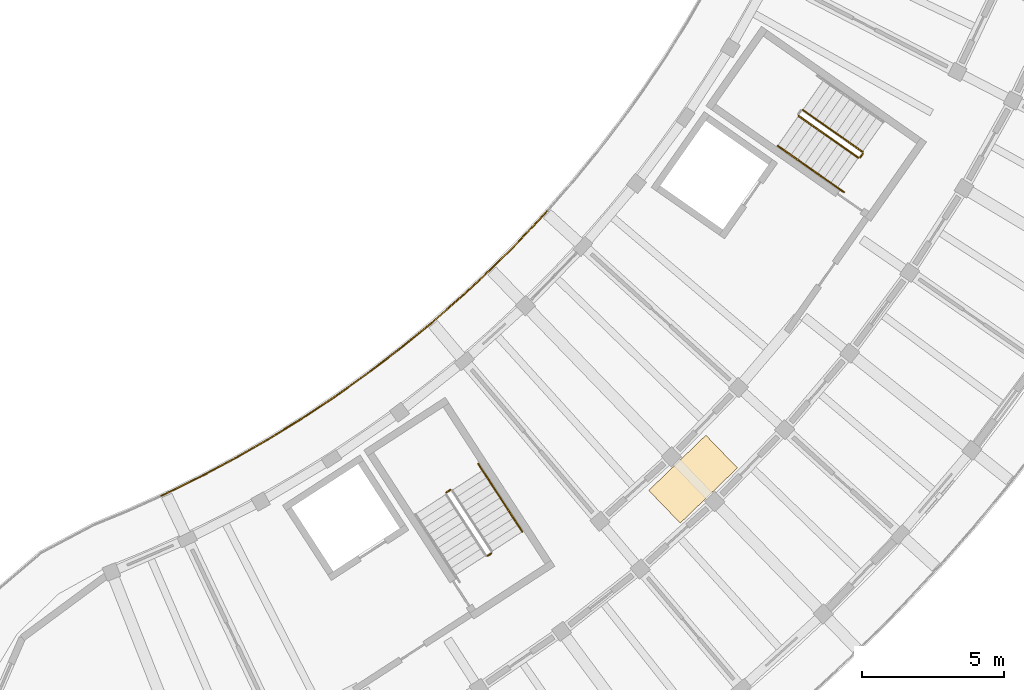
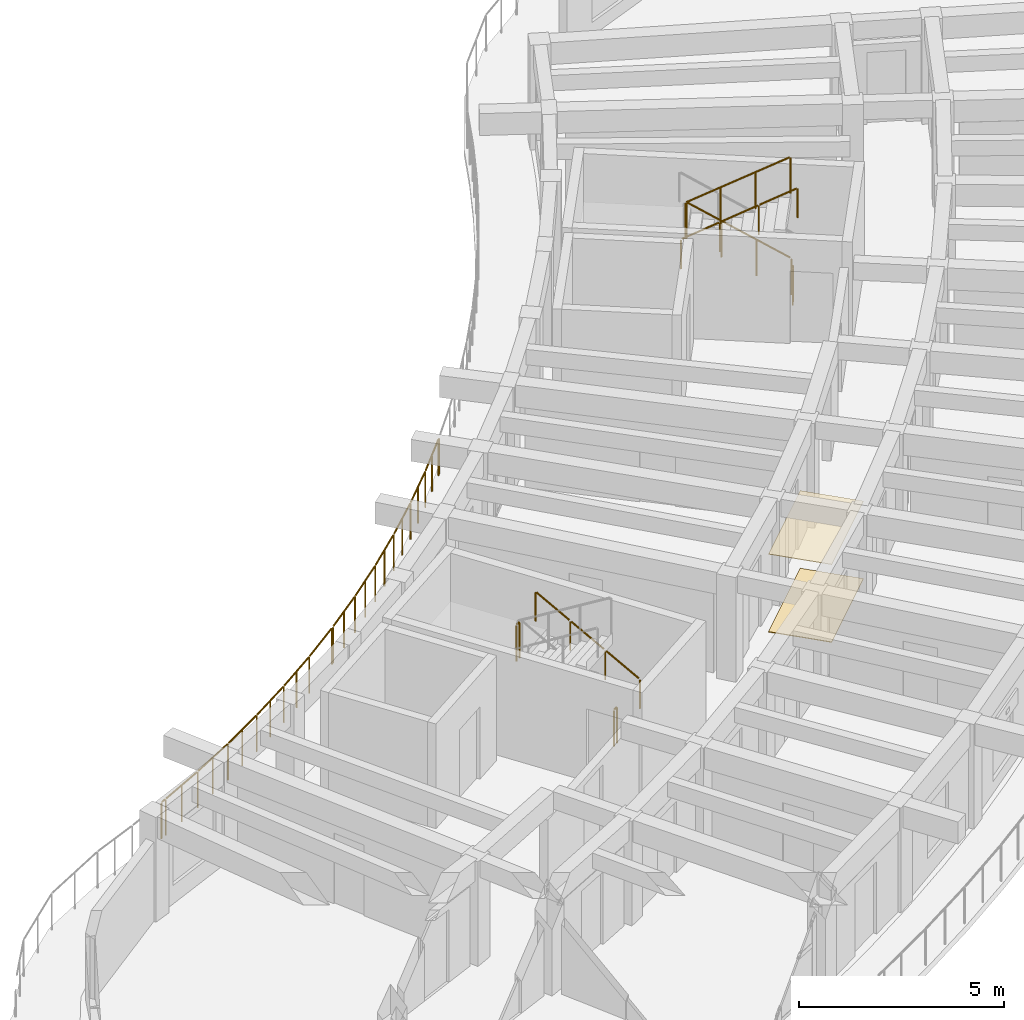
# One storey, part 77 of 83: 13 railings, 2 coverings.
"""IFC4 building model written with IfcOpenShell, lengths in metres."""

from ifc_helpers import new_model, si_unit, direction, frame, origin, origin_2d, place, context, subcontext, project, spatial, rectangle, circle, extrude, material, layer, layer_set, type_object, element, save


model = new_model("IFC4")

# Units and contexts
model_context = context("Model", 3, precision=1e-05, world=origin(), true_north=direction((0.0, 1.0)))
body_context = subcontext(model_context, "Body", "Model", "MODEL_VIEW")
ifc_project = project(units=[si_unit("LENGTHUNIT", "METRE"), si_unit("AREAUNIT", "SQUARE_METRE"), si_unit("VOLUMEUNIT", "CUBIC_METRE"), si_unit("PLANEANGLEUNIT", "RADIAN"), si_unit("MASSUNIT", "GRAM", prefix="KILO")], contexts=[model_context])

# Site, building, storey
site_placement = place(None, origin())
site = spatial("IfcSite", under=ifc_project, at=site_placement, CompositionType="ELEMENT")
building_placement = place(site_placement, origin())
building = spatial("IfcBuilding", under=site, at=building_placement, Name="Tanwirah Colonnade Gardens", CompositionType="ELEMENT")
storey_placement = place(building_placement, frame((0.0, 0.0, 25.639892578125)))
storey = spatial("IfcBuildingStorey", under=building, at=storey_placement, Name="L07", CompositionType="ELEMENT", Elevation=25.639892578125)

# Railings
ifc_material_1 = material(Name="Precast concrete C40/50", Category="concrete")
railing_type_1 = type_object("IfcRailingType", Name="BAL-EXT110", PredefinedType="BALUSTRADE", material=ifc_material_1)
railing_1_placement = place(storey_placement, frame((139.042236328125, 25.823974609375, 0.0)))
element("IfcRailing", 1, at=railing_1_placement, inside=storey, type_object=railing_type_1, Name="Block D L07 Balcony Ribbon Balustrade 2", PredefinedType="BALUSTRADE", context=body_context, shape_type="SweptSolid", body=[
    extrude(circle(Radius=0.02392578125, at=origin_2d()), frame((0.028564453125, 0.012939453125, 1.076171875), z_axis=(0.911767746591, 0.410706192158, 0.0), x_axis=(-0.410706192158, 0.911767746591, 0.0)), (0.0, 0.0, 1.0), 0.11572265625),
    extrude(circle(Radius=0.02392578125, at=origin_2d()), frame((0.19287109375, 0.08837890625, 1.076171875), z_axis=(0.897349966121, 0.441319655469, 0.0), x_axis=(-0.441319655469, 0.897349966121, 0.0)), (0.0, 0.0, 1.0), 1.33154296875),
    extrude(circle(Radius=0.02392578125, at=origin_2d()), frame((1.44580078125, 0.70556640625, 1.076171875), z_axis=(0.88242081136, 0.470460956593, 0.0), x_axis=(-0.470460956593, 0.88242081136, 0.0)), (0.0, 0.0, 1.0), 1.331298828125),
    extrude(circle(Radius=0.02392578125, at=origin_2d()), frame((2.677734375, 1.363525390625, 1.076171875), z_axis=(0.866535241782, 0.499115893104, 0.0), x_axis=(-0.499115893104, 0.866535241782, 0.0)), (0.0, 0.0, 1.0), 1.33154296875),
    extrude(circle(Radius=0.02392578125, at=origin_2d()), frame((3.887451171875, 2.0615234375, 1.076171875), z_axis=(0.849764617567, 0.527162303973, 0.0), x_axis=(-0.527162303973, 0.849764617567, 0.0)), (0.0, 0.0, 1.0), 1.33154296875),
    extrude(circle(Radius=0.02392578125, at=origin_2d()), frame((5.07373046875, 2.798583984375, 1.076171875), z_axis=(0.832077237554, 0.554659779274, 0.0), x_axis=(-0.554659779274, 0.832077237554, 0.0)), (0.0, 0.0, 1.0), 1.33154296875),
    extrude(circle(Radius=0.02392578125, at=origin_2d()), frame((6.235107421875, 3.573974609375, 1.076171875), z_axis=(0.813498770771, 0.581566634148, 0.0), x_axis=(-0.581566634148, 0.813498770771, 0.0)), (0.0, 0.0, 1.0), 1.273193359375),
    extrude(circle(Radius=0.02099609375, at=origin_2d()), origin(), (0.0, 0.0, 1.0), 1.049072265625),
    extrude(circle(Radius=0.02099609375, at=origin_2d()), frame((0.16259765625, 0.0732421875, 0.0)), (0.0, 0.0, 1.0), 1.049072265625),
    extrude(circle(Radius=0.02099609375, at=origin_2d()), frame((0.790283203125, 0.382080078125, 0.0)), (0.0, 0.0, 1.0), 1.049072265625),
    extrude(circle(Radius=0.02099609375, at=origin_2d()), frame((1.415771484375, 0.689697265625, 0.0)), (0.0, 0.0, 1.0), 1.049072265625),
    extrude(circle(Radius=0.02099609375, at=origin_2d()), frame((2.033203125, 1.018798828125, 0.0)), (0.0, 0.0, 1.0), 1.049072265625),
    extrude(circle(Radius=0.02099609375, at=origin_2d()), frame((2.648193359375, 1.3466796875, 0.0)), (0.0, 0.0, 1.0), 1.049072265625),
    extrude(circle(Radius=0.02099609375, at=origin_2d()), frame((3.254638671875, 1.69580078125, 0.0)), (0.0, 0.0, 1.0), 1.049072265625),
    extrude(circle(Radius=0.02099609375, at=origin_2d()), frame((3.858642578125, 2.043701171875, 0.0)), (0.0, 0.0, 1.0), 1.049072265625),
    extrude(circle(Radius=0.02099609375, at=origin_2d()), frame((4.453125, 2.412353515625, 0.0)), (0.0, 0.0, 1.0), 1.049072265625),
    extrude(circle(Radius=0.02099609375, at=origin_2d()), frame((5.04541015625, 2.77978515625, 0.0)), (0.0, 0.0, 1.0), 1.049072265625),
    extrude(circle(Radius=0.02099609375, at=origin_2d()), frame((5.62744140625, 3.16796875, 0.0)), (0.0, 0.0, 1.0), 1.049072265625),
    extrude(circle(Radius=0.02099609375, at=origin_2d()), frame((6.20751953125, 3.554443359375, 0.0)), (0.0, 0.0, 1.0), 1.049072265625),
    extrude(circle(Radius=0.02099609375, at=origin_2d()), frame((7.29638671875, 4.332763671875, 0.0)), (0.0, 0.0, 1.0), 1.049072265625),
])
railing_2_placement = place(storey_placement, frame((146.338623046875, 30.15673828125, 0.0)))
element("IfcRailing", 2, at=railing_2_placement, inside=storey, type_object=railing_type_1, Name="Block D L07 Balcony Ribbon Balustrade 3", PredefinedType="BALUSTRADE", context=body_context, shape_type="SweptSolid", body=[
    extrude(circle(Radius=0.02392578125, at=origin_2d()), frame((0.074462890625, 0.054443359375, 1.076171875), z_axis=(0.793969886309, 0.607957087001, 0.0), x_axis=(-0.607957087001, 0.793969886309, 0.0)), (0.0, 0.0, 1.0), 1.331298828125),
    extrude(circle(Radius=0.02392578125, at=origin_2d()), frame((1.1826171875, 0.904296875, 1.076171875), z_axis=(0.773762182392, 0.633476191424, 0.0), x_axis=(-0.633476191424, 0.773762182392, 0.0)), (0.0, 0.0, 1.0), 1.33154296875),
    extrude(circle(Radius=0.02392578125, at=origin_2d()), frame((2.262451171875, 1.789794921875, 1.076171875), z_axis=(0.752565845379, 0.658517006894, 0.0), x_axis=(-0.658517006894, 0.752565845379, 0.0)), (0.0, 0.0, 1.0), 1.33154296875),
    extrude(circle(Radius=0.02392578125, at=origin_2d()), frame((3.31298828125, 2.71044921875, 1.076171875), z_axis=(0.730612417562, 0.682792424756, 0.0), x_axis=(-0.682792424756, 0.730612417562, 0.0)), (0.0, 0.0, 1.0), 1.331298828125),
    extrude(circle(Radius=0.02392578125, at=origin_2d()), frame((4.33251953125, 3.664794921875, 1.076171875), z_axis=(0.707894448134, 0.706318235855, 0.0), x_axis=(-0.706318235855, 0.707894448134, 0.0)), (0.0, 0.0, 1.0), 1.33154296875),
    extrude(circle(Radius=0.02392578125, at=origin_2d()), frame((5.3203125, 4.652099609375, 1.076171875), z_axis=(0.684424509294, 0.729083733928, 0.0), x_axis=(-0.729083733928, 0.684424509294, 0.0)), (0.0, 0.0, 1.0), 1.33154296875),
    extrude(circle(Radius=0.02099609375, at=origin_2d()), origin(), (0.0, 0.0, 1.0), 1.049072265625),
    extrude(circle(Radius=0.02099609375, at=origin_2d()), frame((0.049560546875, 0.035400390625, 0.0)), (0.0, 0.0, 1.0), 1.049072265625),
    extrude(circle(Radius=0.02099609375, at=origin_2d()), frame((0.60302734375, 0.458984375, 0.0)), (0.0, 0.0, 1.0), 1.049072265625),
    extrude(circle(Radius=0.02099609375, at=origin_2d()), frame((1.15625, 0.8828125, 0.0)), (0.0, 0.0, 1.0), 1.049072265625),
    extrude(circle(Radius=0.02099609375, at=origin_2d()), frame((1.69775390625, 1.326171875, 0.0)), (0.0, 0.0, 1.0), 1.049072265625),
    extrude(circle(Radius=0.02099609375, at=origin_2d()), frame((2.237060546875, 1.767578125, 0.0)), (0.0, 0.0, 1.0), 1.049072265625),
    extrude(circle(Radius=0.02099609375, at=origin_2d()), frame((2.763671875, 2.228271484375, 0.0)), (0.0, 0.0, 1.0), 1.049072265625),
    extrude(circle(Radius=0.02099609375, at=origin_2d()), frame((3.2880859375, 2.687255859375, 0.0)), (0.0, 0.0, 1.0), 1.049072265625),
    extrude(circle(Radius=0.02099609375, at=origin_2d()), frame((3.79931640625, 3.1650390625, 0.0)), (0.0, 0.0, 1.0), 1.049072265625),
    extrude(circle(Radius=0.02099609375, at=origin_2d()), frame((4.308349609375, 3.640869140625, 0.0)), (0.0, 0.0, 1.0), 1.049072265625),
    extrude(circle(Radius=0.02099609375, at=origin_2d()), frame((4.8037109375, 4.13525390625, 0.0)), (0.0, 0.0, 1.0), 1.049072265625),
    extrude(circle(Radius=0.02099609375, at=origin_2d()), frame((5.297119140625, 4.62744140625, 0.0)), (0.0, 0.0, 1.0), 1.049072265625),
    extrude(circle(Radius=0.02099609375, at=origin_2d()), frame((5.77587890625, 5.1376953125, 0.0)), (0.0, 0.0, 1.0), 1.049072265625),
    extrude(circle(Radius=0.02099609375, at=origin_2d()), frame((6.2529296875, 5.645751953125, 0.0)), (0.0, 0.0, 1.0), 1.049072265625),
    extrude(circle(Radius=0.02099609375, at=origin_2d()), frame((6.2939453125, 5.6923828125, 0.0)), (0.0, 0.0, 1.0), 1.049072265625),
])

# Coverings
ifc_material_2 = material(Name="Acoustic perforated gypsum ceiling board")
ifc_layer_1 = layer(ifc_material_2, 0.014892578125)
ifc_layer_set_1 = layer_set([ifc_layer_1], Name="Acoustic perforated gypsum ceiling board")
covering_type_1 = type_object("IfcCoveringType", Name="COV-CEIL15", PredefinedType="CEILING", material=ifc_layer_set_1)
covering_1_placement = place(storey_placement, frame((157.7822265625, 26.410888671875, 2.3125), z_axis=(0.0, 0.0, 1.0), x_axis=(0.719339800339, 0.694658370459, 0.0)))
element("IfcCovering", 3, at=covering_1_placement, inside=storey, type_object=covering_type_1, Name="Block D L07 Corridor Acoustic Ceiling", PredefinedType="CEILING", context=body_context, shape_type="SweptSolid", body=[
    extrude(rectangle(XDim=2.800048828125, YDim=1.60009765625, at=origin_2d()), origin(), (0.0, 0.0, 1.0), 0.014892578125),
])
ifc_material_3 = material(Name="Honed Abu Dhabi limestone terrazzo flooring", Category="masonry")
ifc_layer_2 = layer(ifc_material_3, 0.02001953125)
ifc_layer_set_2 = layer_set([ifc_layer_2], Name="Honed Abu Dhabi limestone terrazzo flooring")
covering_type_2 = type_object("IfcCoveringType", Name="COV-FLR20", PredefinedType="FLOORING", material=ifc_layer_set_2)
covering_2_placement = place(storey_placement, frame((157.7822265625, 26.410888671875, 0.0), z_axis=(0.0, 0.0, 1.0), x_axis=(0.719339800339, 0.694658370459, 0.0)))
element("IfcCovering", 4, at=covering_2_placement, inside=storey, type_object=covering_type_2, Name="Block D L07 Corridor Terrazzo Flooring", PredefinedType="FLOORING", context=body_context, shape_type="SweptSolid", body=[
    extrude(rectangle(XDim=2.800048828125, YDim=1.60009765625, at=origin_2d()), origin(), (0.0, 0.0, 1.0), 0.02001953125),
])

# Railings
ifc_material_4 = material(Name="Powder-coated galvanized steel", Category="steel")
railing_type_2 = type_object("IfcRailingType", Name="GRD-ST110", PredefinedType="GUARDRAIL", material=ifc_material_4)
for number, where, name in (
    (5, (149.22509765625, 26.03125, 1.68017578125), "L07 ST-D1 stair guard 2"),
    (6, (150.676513671875, 23.79638671875, 0.0), "L07 ST-D1 stair guard 4"),
):
    element("IfcRailing", number, at=place(storey_placement, frame(where)), inside=storey, type_object=railing_type_2, Name=name, PredefinedType="GUARDRAIL", context=body_context, shape_type="SweptSolid", body=[
        extrude(circle(Radius=0.02392578125, at=origin_2d()), frame((-0.026123046875, -0.01708984375, 1.076171875), z_axis=(-0.838791880614, -0.544452184326, 0.0), x_axis=(0.544452184326, -0.838791880614, 0.0)), (0.0, 0.0, 1.0), 0.09765625),
        extrude(circle(Radius=0.02099609375, at=origin_2d()), origin(), (0.0, 0.0, 1.0), 1.049072265625),
        extrude(circle(Radius=0.02099609375, at=origin_2d()), frame((-0.13427734375, -0.087158203125, 0.0)), (0.0, 0.0, 1.0), 1.049072265625),
    ])
railing_3_placement = place(storey_placement, frame((163.751220703125, 37.94677734375, 0.168212890625)))
element("IfcRailing", 7, at=railing_3_placement, inside=storey, type_object=railing_type_2, Name="L07 ST-D2 stair guard 1", PredefinedType="GUARDRAIL", context=body_context, shape_type="SweptSolid", body=[
    extrude(circle(Radius=0.02392578125, at=origin_2d()), frame((-0.02197265625, 0.015380859375, 1.092041015625), z_axis=(-0.705672637115, 0.494118441931, 0.507812066193), x_axis=(-0.573577325805, -0.819151421486, 0.0)), (0.0, 0.0, 1.0), 2.914794921875),
    extrude(circle(Radius=0.02099609375, at=origin_2d()), origin(), (0.0, 0.0, 1.0), 1.049072265625),
    extrude(circle(Radius=0.02099609375, at=origin_2d()), frame((-0.700439453125, 0.490478515625, 0.50390625)), (0.0, 0.0, 1.0), 1.049072265625),
    extrude(circle(Radius=0.02099609375, at=origin_2d()), frame((-1.400634765625, 0.980712890625, 1.008056640625)), (0.0, 0.0, 1.0), 1.049072265625),
    extrude(circle(Radius=0.02099609375, at=origin_2d()), frame((-2.10107421875, 1.47119140625, 1.511962890625)), (0.0, 0.0, 1.0), 1.049072265625),
])
railing_4_placement = place(storey_placement, frame((161.5009765625, 39.205078125, 1.84814453125)))
element("IfcRailing", 8, at=railing_4_placement, inside=storey, type_object=railing_type_2, Name="L07 ST-D2 stair guard 3", PredefinedType="GUARDRAIL", context=body_context, shape_type="SweptSolid", body=[
    extrude(circle(Radius=0.02392578125, at=origin_2d()), frame((0.02197265625, -0.015380859375, 1.092041015625), z_axis=(0.705672637115, -0.494118441931, 0.507812066193), x_axis=(0.573577325805, 0.819151421486, 0.0)), (0.0, 0.0, 1.0), 2.914794921875),
    extrude(circle(Radius=0.02099609375, at=origin_2d()), origin(), (0.0, 0.0, 1.0), 1.049072265625),
    extrude(circle(Radius=0.02099609375, at=origin_2d()), frame((0.700439453125, -0.490478515625, 0.50390625)), (0.0, 0.0, 1.0), 1.049072265625),
    extrude(circle(Radius=0.02099609375, at=origin_2d()), frame((1.400634765625, -0.980712890625, 1.008056640625)), (0.0, 0.0, 1.0), 1.049072265625),
    extrude(circle(Radius=0.02099609375, at=origin_2d()), frame((2.10107421875, -1.47119140625, 1.511962890625)), (0.0, 0.0, 1.0), 1.049072265625),
])
railing_5_placement = place(storey_placement, frame((163.763427734375, 37.877197265625, 0.0)))
element("IfcRailing", 9, at=railing_5_placement, inside=storey, type_object=railing_type_2, Name="L07 ST-D2 stair guard 4", PredefinedType="GUARDRAIL", context=body_context, shape_type="SweptSolid", body=[
    extrude(circle(Radius=0.02392578125, at=origin_2d()), frame((-0.017822265625, -0.025634765625, 1.076171875), z_axis=(-0.57356471828, -0.819160249246, 0.0), x_axis=(0.819160249246, -0.57356471828, 0.0)), (0.0, 0.0, 1.0), 0.097412109375),
    extrude(circle(Radius=0.02099609375, at=origin_2d()), origin(), (0.0, 0.0, 1.0), 1.049072265625),
    extrude(circle(Radius=0.02099609375, at=origin_2d()), frame((-0.091796875, -0.131103515625, 0.0)), (0.0, 0.0, 1.0), 1.049072265625),
])
ifc_material_5 = material(Name="Brushed bronze stainless steel", Category="steel")
railing_type_3 = type_object("IfcRailingType", Name="HR-ST090", PredefinedType="HANDRAIL", material=ifc_material_5)
railing_6_placement = place(storey_placement, frame((151.7646484375, 24.5625, 0.168212890625)))
element("IfcRailing", 10, at=railing_6_placement, inside=storey, type_object=railing_type_3, Name="L07 ST-D1 stair handrail 1", PredefinedType="HANDRAIL", context=body_context, shape_type="SweptSolid", body=[
    extrude(circle(Radius=0.02392578125, at=origin_2d()), frame((-0.0146484375, 0.0224609375, 0.891845703125), z_axis=(-0.467815092293, 0.720598613141, 0.511748647445), x_axis=(-0.838748777278, -0.544518584269, 0.0)), (0.0, 0.0, 1.0), 1.043212890625),
    extrude(circle(Radius=0.02099609375, at=origin_2d()), origin(), (0.0, 0.0, 1.0), 0.848876953125),
    extrude(circle(Radius=0.02099609375, at=origin_2d()), frame((-0.517333984375, 0.796875, 0.56591796875)), (0.0, 0.0, 1.0), 0.848876953125),
])
railing_7_placement = place(storey_placement, frame((151.247314453125, 25.359375, 0.734130859375)))
element("IfcRailing", 11, at=railing_7_placement, inside=storey, type_object=railing_type_3, Name="L07 ST-D1 stair handrail 2", PredefinedType="HANDRAIL", context=body_context, shape_type="SweptSolid", body=[
    extrude(circle(Radius=0.02392578125, at=origin_2d()), frame((-0.0146484375, 0.0224609375, 0.891845703125), z_axis=(-0.467889522294, 0.720492454576, 0.511830067333), x_axis=(-0.838672561027, -0.544635965926, 0.0)), (0.0, 0.0, 1.0), 1.043212890625),
    extrude(circle(Radius=0.02099609375, at=origin_2d()), origin(), (0.0, 0.0, 1.0), 0.848876953125),
    extrude(circle(Radius=0.02099609375, at=origin_2d()), frame((-0.517333984375, 0.796630859375, 0.56591796875)), (0.0, 0.0, 1.0), 0.848876953125),
])
railing_8_placement = place(storey_placement, frame((150.72998046875, 26.156005859375, 1.300048828125)))
element("IfcRailing", 12, at=railing_8_placement, inside=storey, type_object=railing_type_3, Name="L07 ST-D1 stair handrail 3", PredefinedType="HANDRAIL", context=body_context, shape_type="SweptSolid", body=[
    extrude(circle(Radius=0.02392578125, at=origin_2d()), frame((-0.0146484375, 0.0224609375, 0.891845703125), z_axis=(-0.467934656569, 0.720442792, 0.511858711596), x_axis=(-0.838631412534, -0.544699324317, 0.0)), (0.0, 0.0, 1.0), 1.04345703125),
    extrude(circle(Radius=0.02099609375, at=origin_2d()), origin(), (0.0, 0.0, 1.0), 0.848876953125),
    extrude(circle(Radius=0.02099609375, at=origin_2d()), frame((-0.517578125, 0.796875, 0.566162109375)), (0.0, 0.0, 1.0), 0.848876953125),
])
railing_9_placement = place(storey_placement, frame((160.766845703125, 38.156494140625, 1.84814453125)))
element("IfcRailing", 13, at=railing_9_placement, inside=storey, type_object=railing_type_3, Name="L07 ST-D2 stair handrail 4", PredefinedType="HANDRAIL", context=body_context, shape_type="SweptSolid", body=[
    extrude(circle(Radius=0.02392578125, at=origin_2d()), frame((0.02197265625, -0.015380859375, 0.891845703125), z_axis=(0.703686044561, -0.492823109966, 0.511811814023), x_axis=(0.57365206981, 0.819099079967, 0.0)), (0.0, 0.0, 1.0), 1.043212890625),
    extrude(circle(Radius=0.02099609375, at=origin_2d()), origin(), (0.0, 0.0, 1.0), 0.848876953125),
    extrude(circle(Radius=0.02099609375, at=origin_2d()), frame((0.778076171875, -0.544921875, 0.56591796875)), (0.0, 0.0, 1.0), 0.848876953125),
])
railing_10_placement = place(storey_placement, frame((161.544921875, 37.611572265625, 2.4140625)))
element("IfcRailing", 14, at=railing_10_placement, inside=storey, type_object=railing_type_3, Name="L07 ST-D2 stair handrail 5", PredefinedType="HANDRAIL", context=body_context, shape_type="SweptSolid", body=[
    extrude(circle(Radius=0.02392578125, at=origin_2d()), frame((0.02197265625, -0.015380859375, 0.891845703125), z_axis=(0.703717970253, -0.492690875033, 0.511895223656), x_axis=(0.573531324472, 0.819183630115, 0.0)), (0.0, 0.0, 1.0), 1.04345703125),
    extrude(circle(Radius=0.02099609375, at=origin_2d()), origin(), (0.0, 0.0, 1.0), 0.848876953125),
    extrude(circle(Radius=0.02099609375, at=origin_2d()), frame((0.7783203125, -0.544921875, 0.566162109375)), (0.0, 0.0, 1.0), 0.848876953125),
])
railing_11_placement = place(storey_placement, frame((162.3232421875, 37.066650390625, 2.980224609375)))
element("IfcRailing", 15, at=railing_11_placement, inside=storey, type_object=railing_type_3, Name="L07 ST-D2 stair handrail 6", PredefinedType="HANDRAIL", context=body_context, shape_type="SweptSolid", body=[
    extrude(circle(Radius=0.02392578125, at=origin_2d()), frame((0.02197265625, -0.015380859375, 0.891845703125), z_axis=(0.703762611354, -0.492655910239, 0.511867503332), x_axis=(0.573479595945, 0.819219844141, 0.0)), (0.0, 0.0, 1.0), 1.04296875),
    extrude(circle(Radius=0.02099609375, at=origin_2d()), origin(), (0.0, 0.0, 1.0), 0.848876953125),
    extrude(circle(Radius=0.02099609375, at=origin_2d()), frame((0.778076171875, -0.544677734375, 0.56591796875)), (0.0, 0.0, 1.0), 0.848876953125),
])

save(model, "model.ifc")
